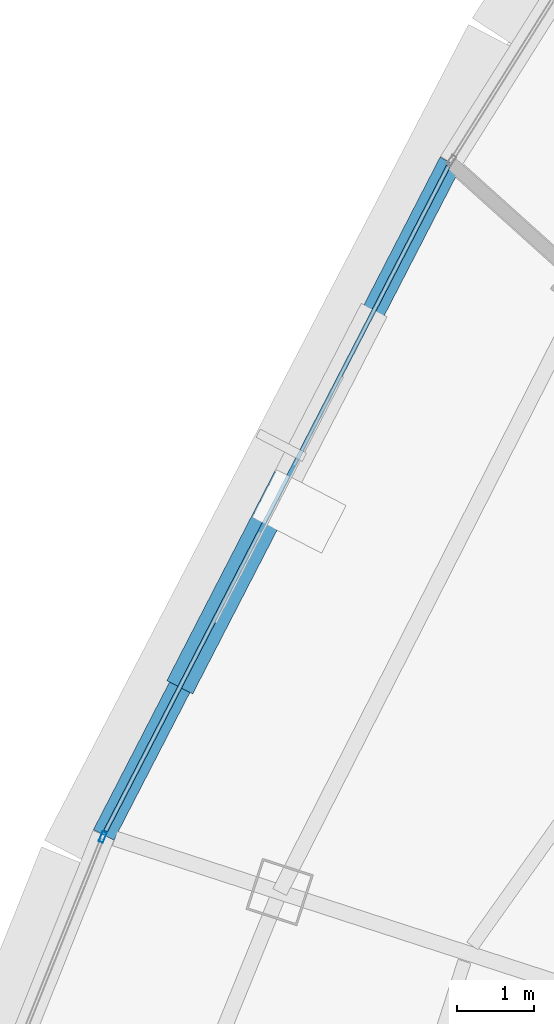
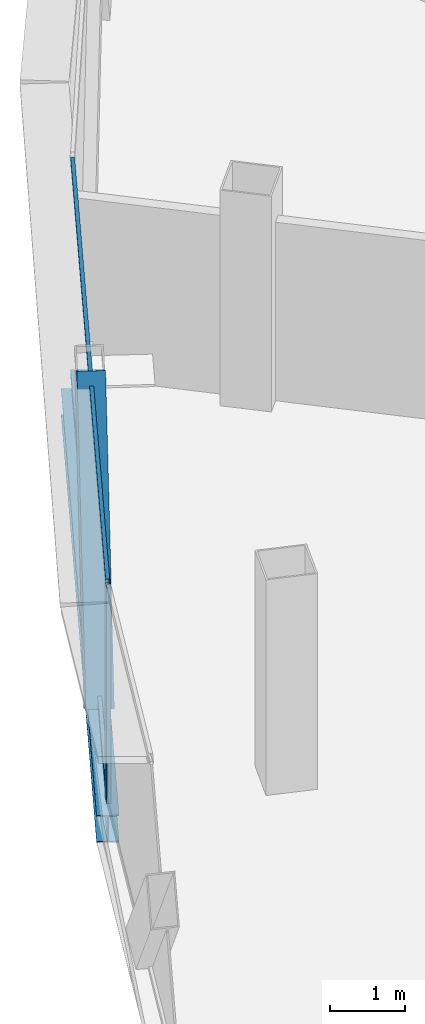
# One storey, part 7 of 30: 4 members, 1 beam, 2 elements without a shape of their own.
"""IFC4 building model written with IfcOpenShell, lengths in metres."""

from ifc_helpers import new_model, si_unit, direction, frame, origin, origin_2d, place, context, subcontext, project, spatial, hollow_rectangle, i_section, extrude, source, transform, mapped, material, layer, layer_set, material_profile, profile_set, type_object, element, aggregate, save


model = new_model("IFC4")

# Units and contexts
model_context = context("Model", 3, precision=1e-05, world=origin(), true_north=direction((0.0, 1.0)))
body_context = subcontext(model_context, "Body", "Model", "MODEL_VIEW")
ifc_project = project(units=[si_unit("LENGTHUNIT", "METRE"), si_unit("AREAUNIT", "SQUARE_METRE"), si_unit("VOLUMEUNIT", "CUBIC_METRE"), si_unit("PLANEANGLEUNIT", "RADIAN"), si_unit("MASSUNIT", "GRAM", prefix="KILO"), si_unit("THERMODYNAMICTEMPERATUREUNIT", "KELVIN"), si_unit("POWERUNIT", "WATT")], contexts=[model_context])

# Site, building, storey
site_placement = place(None, origin())
site = spatial("IfcSite", under=ifc_project, at=site_placement, CompositionType="ELEMENT")
building_placement = place(site_placement, origin())
building = spatial("IfcBuilding", under=site, at=building_placement, Name="Yunzhuo Pagoda Commons", CompositionType="ELEMENT")
storey_placement = place(building_placement, frame((0.0, 0.0, 355.510009765625)))
storey = spatial("IfcBuildingStorey", under=building, at=storey_placement, Name="L89", CompositionType="ELEMENT", Elevation=355.510009765625)

# Beam
ifc_material_1 = material(Name="Structural steel Q355B", Category="steel")
ifc_material_profile_1 = material_profile(ifc_material_1, i_section(OverallWidth=0.300048828125, OverallDepth=0.43994140625, WebThickness=0.010986328125, FlangeThickness=0.01806640625, at=origin_2d()), Name="Structural steel Q355B")
ifc_profile_set_1 = profile_set([ifc_material_profile_1], Name="Structural steel Q355B")
beam_type = type_object("IfcBeamType", Name="B-SP2 Beam HM 440x300x11x18", PredefinedType="BEAM", material=ifc_profile_set_1)
shared_shape_1 = source(origin(), body_context, "Body", "SweptSolid", [
    extrude(i_section(OverallWidth=0.300048828125, OverallDepth=0.43994140625, WebThickness=0.010986328125, FlangeThickness=0.01806640625, at=origin_2d()), origin(), (0.0, 0.0, 1.0), 9.884765625),
])
beam_placement = place(storey_placement, frame((30.175537109375, 49.749267578125, -0.47998046875), z_axis=(-0.458204989811, -0.888846548799, 0.0), x_axis=(0.888846548799, -0.458204989811, 0.0)))
element("IfcBeam", 1, at=beam_placement, inside=storey, type_object=beam_type, Name="L89 facade edge spandrel beam F3.2", PredefinedType="BEAM", context=body_context, shape_type="MappedRepresentation", body=[
    mapped(shared_shape_1, transform((0.0, 0.0, 0.0), scale=1.0)),
])

# Member
ifc_material_profile_2 = material_profile(ifc_material_1, hollow_rectangle(XDim=0.3798828125, YDim=0.719970703125, WallThickness=0.02001953125, at=origin_2d()), Name="Structural steel Q355B")
ifc_profile_set_2 = profile_set([ifc_material_profile_2], Name="Structural steel Q355B")
member_type_1 = type_object("IfcMemberType", Name="M-DL3 Brace BOX 720x380x20", PredefinedType="BRACE", material=ifc_profile_set_2)
shared_shape_2 = source(origin(), body_context, "Body", "SweptSolid", [
    extrude(hollow_rectangle(XDim=0.3798828125, YDim=0.719970703125, WallThickness=0.02001953125, at=origin_2d()), origin(), (0.0, 0.0, 1.0), 4.490966796875),
])
member_1_placement = place(storey_placement, frame((26.77880859375, 43.15966796875, -0.260009765625), z_axis=(0.252078865424, 0.489099321161, 0.835007844063), x_axis=(-0.888886783274, 0.45812693276, 0.0)))
element("IfcMember", 2, at=member_1_placement, inside=storey, type_object=member_type_1, Name="L89 facade diamond brace F3.2R", PredefinedType="BRACE", context=body_context, shape_type="MappedRepresentation", body=[
    mapped(shared_shape_2, transform((0.0, 0.0, 0.0), scale=1.0)),
])

# Curtain wall, member
ifc_material_2 = material(Name="Anodized aluminium 6063-T6", Category="aluminium")
ifc_layer = layer(ifc_material_2, 0.139892578125)
ifc_layer_set = layer_set([ifc_layer], Name="Anodized aluminium 6063-T6")
curtain_wall_type = type_object("IfcCurtainWallType", Name="CW-HI High-Zone Ribbon Curtain Wall", PredefinedType="NOTDEFINED", material=ifc_layer_set)
curtain_wall_1_placement = place(storey_placement, origin())
curtain_wall_1 = element("IfcCurtainWall", 3, at=curtain_wall_1_placement, inside=storey, type_object=curtain_wall_type, Name="L89 curtain wall CW-L89-F3B4", PredefinedType="NOTDEFINED")
ifc_material_profile_3 = material_profile(ifc_material_2, hollow_rectangle(XDim=0.06005859375, YDim=0.139892578125, WallThickness=0.00341796875, at=origin_2d()), Name="Anodized aluminium 6063-T6")
ifc_profile_set_3 = profile_set([ifc_material_profile_3], Name="Anodized aluminium 6063-T6")
member_type_2 = type_object("IfcMemberType", Name="CW-HI-M Mullion RHS 140x60x3.5", PredefinedType="MULLION", material=ifc_profile_set_3)
shared_shape_3 = source(origin(), body_context, "Body", "SweptSolid", [
    extrude(hollow_rectangle(XDim=0.06005859375, YDim=0.139892578125, WallThickness=0.00341796875, at=origin_2d()), origin(), (0.0, 0.0, 1.0), 3.489990234375),
])
member_2_placement = place(storey_placement, frame((25.635009765625, 40.935302734375, 0.0), z_axis=(0.0, 0.0, 1.0), x_axis=(0.92803921175, -0.372482511608, 0.0)))
member_2 = element("IfcMember", 4, at=member_2_placement, type_object=member_type_2, Name="CW mullion 1", PredefinedType="MULLION", context=body_context, shape_type="MappedRepresentation", body=[
    mapped(shared_shape_3, transform((0.0, 0.0, 0.0), scale=1.0)),
])
aggregate(curtain_wall_1, [member_2])

# Curtain wall, members
curtain_wall_2_placement = place(storey_placement, origin())
curtain_wall_2 = element("IfcCurtainWall", 5, at=curtain_wall_2_placement, inside=storey, type_object=curtain_wall_type, Name="L89 curtain wall CW-L89-F3B3", PredefinedType="NOTDEFINED")
ifc_material_profile_4 = material_profile(ifc_material_2, hollow_rectangle(XDim=0.054931640625, YDim=0.1201171875, WallThickness=0.00341796875, at=origin_2d()), Name="Anodized aluminium 6063-T6")
ifc_profile_set_4 = profile_set([ifc_material_profile_4], Name="Anodized aluminium 6063-T6")
member_type_3 = type_object("IfcMemberType", Name="CW-HI-T Transom RHS 120x55x3.5", PredefinedType="USERDEFINED", material=ifc_profile_set_4)
shared_shape_4 = source(origin(), body_context, "Body", "SweptSolid", [
    extrude(hollow_rectangle(XDim=0.054931640625, YDim=0.1201171875, WallThickness=0.00341796875, at=origin_2d()), origin(), (0.0, 0.0, 1.0), 9.764892578125),
])
member_3_placement = place(storey_placement, frame((30.14794921875, 49.696044921875, 0.027587890625), z_axis=(-0.458210436788, -0.888843740833, 0.0), x_axis=(0.888843740833, -0.458210436788, 0.0)))
member_3 = element("IfcMember", 6, at=member_3_placement, type_object=member_type_3, Name="CW transom 1.1", ObjectType="TRANSOM", PredefinedType="USERDEFINED", context=body_context, shape_type="MappedRepresentation", body=[
    mapped(shared_shape_4, transform((0.0, 0.0, 0.0), scale=1.0)),
])
member_4_placement = place(storey_placement, frame((30.14794921875, 49.696044921875, 3.46240234375), z_axis=(-0.458210436788, -0.888843740833, 0.0), x_axis=(0.888843740833, -0.458210436788, 0.0)))
member_4 = element("IfcMember", 7, at=member_4_placement, type_object=member_type_3, Name="CW transom 1.2", ObjectType="TRANSOM", PredefinedType="USERDEFINED", context=body_context, shape_type="MappedRepresentation", body=[
    mapped(shared_shape_4, transform((0.0, 0.0, 0.0), scale=1.0)),
])
aggregate(curtain_wall_2, [member_3, member_4])

save(model, "model.ifc")
